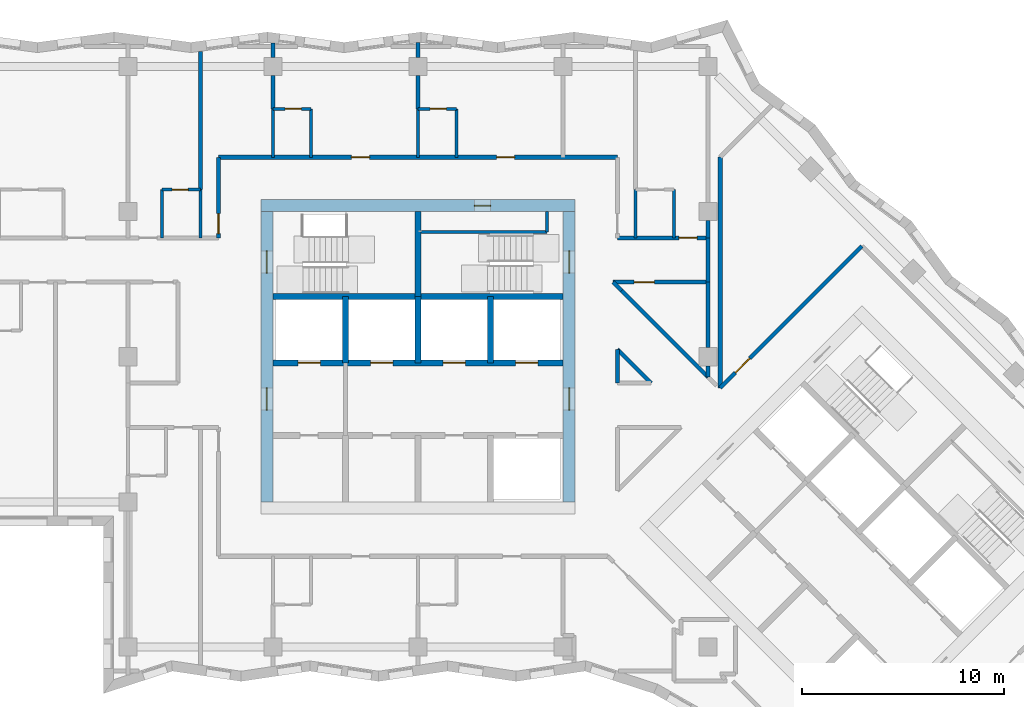
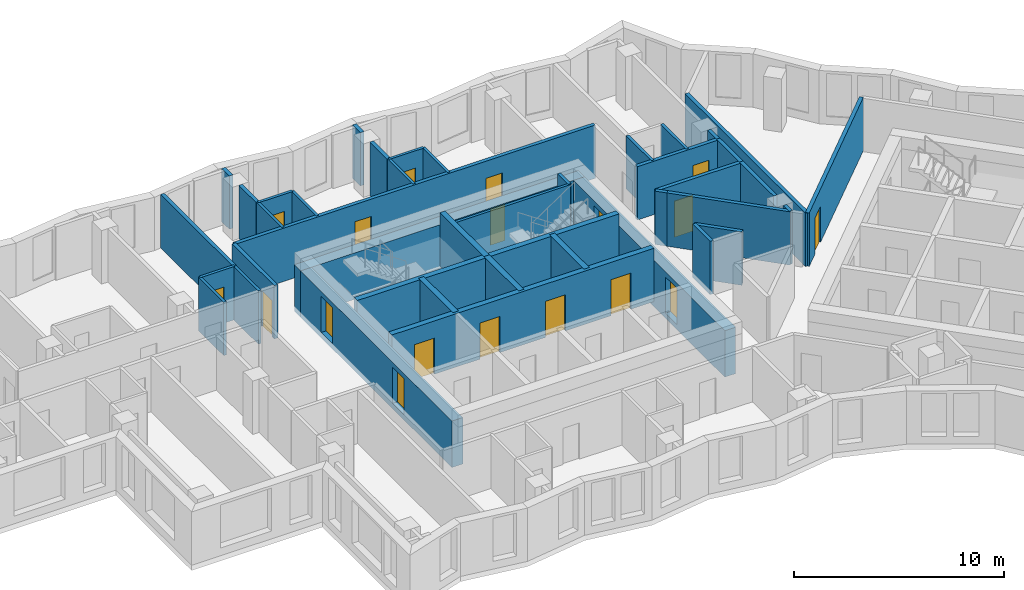
# One storey, part 6 of 12: 42 walls, 18 doors, 18 openings.
"""IFC4 building model written with IfcOpenShell, lengths in metres."""

from ifc_helpers import new_model, si_unit, direction, frame, frame_2d, origin, place, context, subcontext, project, spatial, rectangle, extrude, material, layer, layer_set, type_object, element, fill, save


model = new_model("IFC4")

# Units and contexts
model_context = context("Model", 3, precision=1e-05, world=origin(), true_north=direction((0.0, 1.0)))
body_context = subcontext(model_context, "Body", "Model", "MODEL_VIEW")
ifc_project = project(units=[si_unit("LENGTHUNIT", "METRE"), si_unit("AREAUNIT", "SQUARE_METRE"), si_unit("VOLUMEUNIT", "CUBIC_METRE"), si_unit("PLANEANGLEUNIT", "RADIAN"), si_unit("MASSUNIT", "GRAM", prefix="KILO")], contexts=[model_context])

# Site, building, storey
site_placement = place(None, origin())
site = spatial("IfcSite", under=ifc_project, at=site_placement, CompositionType="ELEMENT")
building_placement = place(site_placement, origin())
building = spatial("IfcBuilding", under=site, at=building_placement, Name="Windrow Commons", CompositionType="ELEMENT")
storey_placement = place(building_placement, frame((0.0, 0.0, 159.2)))
storey = spatial("IfcBuildingStorey", under=building, at=storey_placement, Name="L43", CompositionType="ELEMENT", Elevation=159.2)

# Wall, openings, doors
ifc_material_1 = material(Name="Blockwork partition", Category="masonry")
ifc_layer_1 = layer(ifc_material_1, 0.2)
ifc_layer_set_1 = layer_set([ifc_layer_1], Name="IW-CORRIDOR-200")
wall_type_1 = type_object("IfcWallType", Name="IW-CORRIDOR-200", PredefinedType="PARTITIONING", material=ifc_layer_set_1)
wall_1_placement = place(storey_placement, frame((54.9, 67.5, 0.0), z_axis=(0.0, 0.0, 1.0), x_axis=(1.0, 0.0, 0.0)))
wall_1 = element("IfcWall", 1, at=wall_1_placement, inside=storey, type_object=wall_type_1, Name="W-L43-W000", PredefinedType="PARTITIONING", context=body_context, shape_type="SweptSolid", body=[
    extrude(rectangle(XDim=19.8, YDim=0.2, at=frame_2d((9.9, 0.0))), origin(), (0.0, 0.0, 1.0), 3.1),
])
opening_1_placement = place(wall_1_placement, frame((6.5994, 0.0, 0.0)))
opening_1 = element("IfcOpeningElement", 2, at=opening_1_placement, cuts=wall_1, Name="Opening D109F", PredefinedType="OPENING", context=body_context, shape_type="SweptSolid", body=[
    extrude(rectangle(XDim=0.9, YDim=2.1, at=frame_2d((0.45, 1.05))), frame((0.0, 0.11, 0.0), z_axis=(0.0, -1.0, 0.0), x_axis=(1.0, 0.0, 0.0)), (0.0, 0.0, 1.0), 0.22),
])
opening_2_placement = place(wall_1_placement, frame((13.7994, 0.0, 0.0)))
opening_2 = element("IfcOpeningElement", 3, at=opening_2_placement, cuts=wall_1, Name="Opening D109F", PredefinedType="OPENING", context=body_context, shape_type="SweptSolid", body=[
    extrude(rectangle(XDim=0.9, YDim=2.1, at=frame_2d((0.45, 1.05))), frame((0.0, 0.11, 0.0), z_axis=(0.0, -1.0, 0.0), x_axis=(1.0, 0.0, 0.0)), (0.0, 0.0, 1.0), 0.22),
])
ifc_material_2 = material(Name="Timber door leaf", Category="wood")
door_type_1 = type_object("IfcDoorType", Name="DT-BEDROOM-900", OperationType="SINGLE_SWING_LEFT", PredefinedType="DOOR", material=ifc_material_2)
door_1_placement = place(opening_1_placement, origin())
door_1 = element("IfcDoor", 4, at=door_1_placement, inside=storey, type_object=door_type_1, Name="D-L43-D036", OperationType="SINGLE_SWING_RIGHT", OverallHeight=2.1, OverallWidth=0.9, PredefinedType="DOOR", context=body_context, shape_type="SweptSolid", body=[
    extrude(rectangle(XDim=0.9, YDim=2.1, at=frame_2d((0.45, 1.05))), frame((0.0, 0.025, 0.0), z_axis=(0.0, -1.0, 0.0), x_axis=(1.0, 0.0, 0.0)), (0.0, 0.0, 1.0), 0.05),
])
fill(opening_1, door_1)
door_2_placement = place(opening_2_placement, origin())
door_2 = element("IfcDoor", 5, at=door_2_placement, inside=storey, type_object=door_type_1, Name="D-L43-D038", OperationType="SINGLE_SWING_RIGHT", OverallHeight=2.1, OverallWidth=0.9, PredefinedType="DOOR", context=body_context, shape_type="SweptSolid", body=[
    extrude(rectangle(XDim=0.9, YDim=2.1, at=frame_2d((0.45, 1.05))), frame((0.0, 0.025, 0.0), z_axis=(0.0, -1.0, 0.0), x_axis=(1.0, 0.0, 0.0)), (0.0, 0.0, 1.0), 0.05),
])
fill(opening_2, door_2)

# Wall, opening, door
wall_2_placement = place(storey_placement, frame((79.7993, 56.0547, 0.0), z_axis=(0.0, 0.0, 1.0), x_axis=(0.7071067812, 0.7071067812, 0.0)))
wall_2 = element("IfcWall", 6, at=wall_2_placement, inside=storey, type_object=wall_type_1, Name="W-L43-W013", PredefinedType="PARTITIONING", context=body_context, shape_type="SweptSolid", body=[
    extrude(rectangle(XDim=9.9504, YDim=0.2, at=frame_2d((4.9752, 0.0))), origin(), (0.0, 0.0, 1.0), 3.1),
])
opening_3_placement = place(wall_2_placement, frame((1.0709, 0.0, 0.0)))
opening_3 = element("IfcOpeningElement", 7, at=opening_3_placement, cuts=wall_2, Name="Opening D310F", PredefinedType="OPENING", context=body_context, shape_type="SweptSolid", body=[
    extrude(rectangle(XDim=1.0, YDim=2.1, at=frame_2d((0.5, 1.05))), frame((0.0, 0.11, 0.0), z_axis=(0.0, -1.0, 0.0), x_axis=(1.0, 0.0, 0.0)), (0.0, 0.0, 1.0), 0.22),
])
ifc_material_3 = material(Name="Timber door leaf", Category="wood")
door_type_2 = type_object("IfcDoorType", Name="DT-AMENITY-1000", OperationType="SINGLE_SWING_LEFT", PredefinedType="DOOR", material=ifc_material_3)
door_3_placement = place(opening_3_placement, origin())
door_3 = element("IfcDoor", 8, at=door_3_placement, inside=storey, type_object=door_type_2, Name="D-L43-D040", OperationType="SINGLE_SWING_RIGHT", OverallHeight=2.1, OverallWidth=1.0, PredefinedType="DOOR", context=body_context, shape_type="SweptSolid", body=[
    extrude(rectangle(XDim=1.0, YDim=2.1, at=frame_2d((0.5, 1.05))), frame((0.0, 0.025, 0.0), z_axis=(0.0, -1.0, 0.0), x_axis=(1.0, 0.0, 0.0)), (0.0, 0.0, 1.0), 0.05),
])
fill(opening_3, door_3)

# Wall
wall_3_placement = place(storey_placement, frame((74.9034, 60.8894, 0.0), z_axis=(0.0, 0.0, 1.0), x_axis=(0.7071067812, -0.7071067812, 0.0)))
element("IfcWall", 9, at=wall_3_placement, inside=storey, type_object=wall_type_1, Name="W-L43-W026", PredefinedType="PARTITIONING", context=body_context, shape_type="SweptSolid", body=[
    extrude(rectangle(XDim=6.0811, YDim=0.2, at=frame_2d((3.0406, 0.0))), origin(), (0.0, 0.0, 1.0), 3.1),
])

# Wall, opening, door
wall_4_placement = place(storey_placement, frame((74.488, 61.3, 0.0), z_axis=(0.0, 0.0, 1.0), x_axis=(1.0, 0.0, 0.0)))
wall_4 = element("IfcWall", 10, at=wall_4_placement, inside=storey, type_object=wall_type_1, Name="W-L43-W032", PredefinedType="PARTITIONING", context=body_context, shape_type="SweptSolid", body=[
    extrude(rectangle(XDim=4.712, YDim=0.2, at=frame_2d((2.356, 0.0))), origin(), (0.0, 0.0, 1.0), 3.1),
])
opening_4_placement = place(wall_4_placement, frame((1.0374, 0.0, 0.0)))
opening_4 = element("IfcOpeningElement", 11, at=opening_4_placement, cuts=wall_4, Name="Opening D410F", PredefinedType="OPENING", context=body_context, shape_type="SweptSolid", body=[
    extrude(rectangle(XDim=1.0, YDim=2.1, at=frame_2d((0.5, 1.05))), frame((0.0, 0.11, 0.0), z_axis=(0.0, -1.0, 0.0), x_axis=(1.0, 0.0, 0.0)), (0.0, 0.0, 1.0), 0.22),
])
ifc_material_4 = material(Name="Timber door leaf", Category="wood")
door_type_3 = type_object("IfcDoorType", Name="DT-SERVICE-1000", OperationType="SINGLE_SWING_LEFT", PredefinedType="DOOR", material=ifc_material_4)
door_4_placement = place(opening_4_placement, origin())
door_4 = element("IfcDoor", 12, at=door_4_placement, inside=storey, type_object=door_type_3, Name="D-L43-D030", OperationType="SINGLE_SWING_RIGHT", OverallHeight=2.1, OverallWidth=1.0, PredefinedType="DOOR", context=body_context, shape_type="SweptSolid", body=[
    extrude(rectangle(XDim=1.0, YDim=2.1, at=frame_2d((0.5, 1.05))), frame((0.0, 0.025, 0.0), z_axis=(0.0, -1.0, 0.0), x_axis=(1.0, 0.0, 0.0)), (0.0, 0.0, 1.0), 0.05),
])
fill(opening_4, door_4)

wall_5_placement = place(storey_placement, frame((74.702, 63.5, 0.0), z_axis=(0.0, 0.0, 1.0), x_axis=(1.0, 0.0, 0.0)))
wall_5 = element("IfcWall", 13, at=wall_5_placement, inside=storey, type_object=wall_type_1, Name="W-L43-W038", PredefinedType="PARTITIONING", context=body_context, shape_type="SweptSolid", body=[
    extrude(rectangle(XDim=4.498, YDim=0.2, at=frame_2d((2.249, 0.0))), origin(), (0.0, 0.0, 1.0), 3.1),
])
opening_5_placement = place(wall_5_placement, frame((3.0463, 0.0, 0.0)))
opening_5 = element("IfcOpeningElement", 14, at=opening_5_placement, cuts=wall_5, Name="Opening D109S", PredefinedType="OPENING", context=body_context, shape_type="SweptSolid", body=[
    extrude(rectangle(XDim=0.9, YDim=2.1, at=frame_2d((0.45, 1.05))), frame((0.0, 0.11, 0.0), z_axis=(0.0, -1.0, 0.0), x_axis=(1.0, 0.0, 0.0)), (0.0, 0.0, 1.0), 0.22),
])
door_5_placement = place(opening_5_placement, origin())
door_5 = element("IfcDoor", 15, at=door_5_placement, inside=storey, type_object=door_type_1, Name="D-L43-D023", OperationType="SINGLE_SWING_LEFT", OverallHeight=2.1, OverallWidth=0.9, PredefinedType="DOOR", context=body_context, shape_type="SweptSolid", body=[
    extrude(rectangle(XDim=0.9, YDim=2.1, at=frame_2d((0.45, 1.05))), frame((0.0, 0.025, 0.0), z_axis=(0.0, -1.0, 0.0), x_axis=(1.0, 0.0, 0.0)), (0.0, 0.0, 1.0), 0.05),
])
fill(opening_5, door_5)

wall_6_placement = place(storey_placement, frame((54.9, 63.502, 0.0), z_axis=(0.0, 0.0, 1.0), x_axis=(0.0, 1.0, 0.0)))
wall_6 = element("IfcWall", 16, at=wall_6_placement, inside=storey, type_object=wall_type_1, Name="W-L43-W042", PredefinedType="PARTITIONING", context=body_context, shape_type="SweptSolid", body=[
    extrude(rectangle(XDim=3.998, YDim=0.2, at=frame_2d((1.999, 0.0))), origin(), (0.0, 0.0, 1.0), 3.1),
])
opening_6_placement = place(wall_6_placement, frame((0.2031, 0.0, 0.0)))
opening_6 = element("IfcOpeningElement", 17, at=opening_6_placement, cuts=wall_6, Name="Opening D310F", PredefinedType="OPENING", context=body_context, shape_type="SweptSolid", body=[
    extrude(rectangle(XDim=1.0, YDim=2.1, at=frame_2d((0.5, 1.05))), frame((0.0, 0.11, 0.0), z_axis=(0.0, -1.0, 0.0), x_axis=(1.0, 0.0, 0.0)), (0.0, 0.0, 1.0), 0.22),
])
door_6_placement = place(opening_6_placement, origin())
door_6 = element("IfcDoor", 18, at=door_6_placement, inside=storey, type_object=door_type_2, Name="D-L43-D021", OperationType="SINGLE_SWING_LEFT", OverallHeight=2.1, OverallWidth=1.0, PredefinedType="DOOR", context=body_context, shape_type="SweptSolid", body=[
    extrude(rectangle(XDim=1.0, YDim=2.1, at=frame_2d((0.5, 1.05))), frame((0.0, 0.025, 0.0), z_axis=(0.0, -1.0, 0.0), x_axis=(1.0, 0.0, 0.0)), (0.0, 0.0, 1.0), 0.05),
])
fill(opening_6, door_6)

# Walls
wall_7_placement = place(storey_placement, frame((74.6987, 57.9687, 0.0), z_axis=(0.0, 0.0, 1.0), x_axis=(0.7071067812, -0.7071067812, 0.0)))
element("IfcWall", 19, at=wall_7_placement, inside=storey, type_object=wall_type_1, Name="W-L43-W105", PredefinedType="PARTITIONING", context=body_context, shape_type="SweptSolid", body=[
    extrude(rectangle(XDim=2.3617, YDim=0.2, at=frame_2d((1.1808, 0.0))), origin(), (0.0, 0.0, 1.0), 3.1),
])
wall_8_placement = place(storey_placement, frame((79.2, 61.3, 0.0), z_axis=(0.0, 0.0, 1.0), x_axis=(0.0, 1.0, 0.0)))
element("IfcWall", 20, at=wall_8_placement, inside=storey, type_object=wall_type_1, Name="W-L43-W108", PredefinedType="PARTITIONING", context=body_context, shape_type="SweptSolid", body=[
    extrude(rectangle(XDim=2.2, YDim=0.2, at=frame_2d((1.1, 0.0))), origin(), (0.0, 0.0, 1.0), 3.1),
])
wall_9_placement = place(storey_placement, frame((74.7, 56.302, 0.0), z_axis=(0.0, 0.0, 1.0), x_axis=(0.0, 1.0, 0.0)))
element("IfcWall", 21, at=wall_9_placement, inside=storey, type_object=wall_type_1, Name="W-L43-W132", PredefinedType="PARTITIONING", context=body_context, shape_type="SweptSolid", body=[
    extrude(rectangle(XDim=1.67, YDim=0.2, at=frame_2d((0.835, 0.0))), origin(), (0.0, 0.0, 1.0), 3.1),
])
wall_10_placement = place(storey_placement, frame((74.4888, 61.3008, 0.0), z_axis=(0.0, 0.0, 1.0), x_axis=(0.7053925905, -0.7088168263, 0.0)))
element("IfcWall", 22, at=wall_10_placement, inside=storey, type_object=wall_type_1, Name="W-L43-W167", PredefinedType="PARTITIONING", context=body_context, shape_type="SweptSolid", body=[
    extrude(rectangle(XDim=0.5841, YDim=0.2, at=frame_2d((0.292, 0.0))), origin(), (0.0, 0.0, 1.0), 3.1),
])
ifc_material_5 = material(Name="Blockwork partition", Category="masonry")
ifc_layer_2 = layer(ifc_material_5, 0.15)
ifc_layer_set_2 = layer_set([ifc_layer_2], Name="IW-ENSUITE-150")
wall_type_2 = type_object("IfcWallType", Name="IW-ENSUITE-150", PredefinedType="PARTITIONING", material=ifc_layer_set_2)
for number, where, z_axis, x_axis, name in (
    (23, (52.1, 63.5, 0.0), (0.0, 0.0, 1.0), (0.0, 1.0, 0.0), "W-L43-W081"),
    (24, (54.0, 63.5, 0.0), (0.0, 0.0, 1.0), (0.0, 1.0, 0.0), "W-L43-W082"),
    (25, (59.5, 67.5, 0.0), (0.0, 0.0, 1.0), (0.0, 1.0, 0.0), "W-L43-W084"),
    (26, (57.6, 67.5, 0.0), (0.0, 0.0, 1.0), (0.0, 1.0, 0.0), "W-L43-W086"),
    (27, (66.7, 67.5, 0.0), (0.0, 0.0, 1.0), (0.0, 1.0, 0.0), "W-L43-W088"),
    (28, (64.8, 67.5, 0.0), (0.0, 0.0, 1.0), (0.0, 1.0, 0.0), "W-L43-W090"),
    (29, (75.6, 63.5, 0.0), (0.0, 0.0, 1.0), (0.0, 1.0, 0.0), "W-L43-W091"),
    (30, (77.5, 63.5, 0.0), (0.0, 0.0, 1.0), (0.0, 1.0, 0.0), "W-L43-W092"),
):
    element("IfcWall", number, at=place(storey_placement, frame(where, z_axis=z_axis, x_axis=x_axis)), inside=storey, type_object=wall_type_2, Name=name, PredefinedType="PARTITIONING", context=body_context, shape_type="SweptSolid", body=[
        extrude(rectangle(XDim=2.4, YDim=0.15, at=frame_2d((1.2, 0.0))), origin(), (0.0, 0.0, 1.0), 3.1),
    ])

# Wall, opening, door
wall_11_placement = place(storey_placement, frame((64.8, 69.9, 0.0), z_axis=(0.0, 0.0, 1.0), x_axis=(1.0, 0.0, 0.0)))
wall_11 = element("IfcWall", 31, at=wall_11_placement, inside=storey, type_object=wall_type_2, Name="W-L43-W116", PredefinedType="PARTITIONING", context=body_context, shape_type="SweptSolid", body=[
    extrude(rectangle(XDim=1.9, YDim=0.15, at=frame_2d((0.95, 0.0))), origin(), (0.0, 0.0, 1.0), 3.1),
])
opening_7_placement = place(wall_11_placement, frame((0.6069, 0.0, 0.0)))
opening_7 = element("IfcOpeningElement", 32, at=opening_7_placement, cuts=wall_11, Name="Opening D208N", PredefinedType="OPENING", context=body_context, shape_type="SweptSolid", body=[
    extrude(rectangle(XDim=0.8, YDim=2.1, at=frame_2d((0.4, 1.05))), frame((0.0, 0.085, 0.0), z_axis=(0.0, -1.0, 0.0), x_axis=(1.0, 0.0, 0.0)), (0.0, 0.0, 1.0), 0.17),
])
ifc_material_6 = material(Name="Timber door leaf", Category="wood")
door_type_4 = type_object("IfcDoorType", Name="DT-ENSUITE-800", OperationType="SINGLE_SWING_LEFT", PredefinedType="DOOR", material=ifc_material_6)
door_7_placement = place(opening_7_placement, origin())
door_7 = element("IfcDoor", 33, at=door_7_placement, inside=storey, type_object=door_type_4, Name="D-L43-D039", OperationType="SINGLE_SWING_RIGHT", OverallHeight=2.1, OverallWidth=0.8, PredefinedType="DOOR", context=body_context, shape_type="SweptSolid", body=[
    extrude(rectangle(XDim=0.8, YDim=2.1, at=frame_2d((0.4, 1.05))), frame((0.0, 0.025, 0.0), z_axis=(0.0, -1.0, 0.0), x_axis=(1.0, 0.0, 0.0)), (0.0, 0.0, 1.0), 0.05),
])
fill(opening_7, door_7)

wall_12_placement = place(storey_placement, frame((52.1, 65.9, 0.0), z_axis=(0.0, 0.0, 1.0), x_axis=(1.0, 0.0, 0.0)))
wall_12 = element("IfcWall", 34, at=wall_12_placement, inside=storey, type_object=wall_type_2, Name="W-L43-W122", PredefinedType="PARTITIONING", context=body_context, shape_type="SweptSolid", body=[
    extrude(rectangle(XDim=1.9, YDim=0.15, at=frame_2d((0.95, 0.0))), origin(), (0.0, 0.0, 1.0), 3.1),
])
opening_8_placement = place(wall_12_placement, frame((0.4931, 0.0, 0.0)))
opening_8 = element("IfcOpeningElement", 35, at=opening_8_placement, cuts=wall_12, Name="Opening D208N", PredefinedType="OPENING", context=body_context, shape_type="SweptSolid", body=[
    extrude(rectangle(XDim=0.8, YDim=2.1, at=frame_2d((0.4, 1.05))), frame((0.0, 0.085, 0.0), z_axis=(0.0, -1.0, 0.0), x_axis=(1.0, 0.0, 0.0)), (0.0, 0.0, 1.0), 0.17),
])
door_8_placement = place(opening_8_placement, origin())
door_8 = element("IfcDoor", 36, at=door_8_placement, inside=storey, type_object=door_type_4, Name="D-L43-D020", OperationType="SINGLE_SWING_RIGHT", OverallHeight=2.1, OverallWidth=0.8, PredefinedType="DOOR", context=body_context, shape_type="SweptSolid", body=[
    extrude(rectangle(XDim=0.8, YDim=2.1, at=frame_2d((0.4, 1.05))), frame((0.0, 0.025, 0.0), z_axis=(0.0, -1.0, 0.0), x_axis=(1.0, 0.0, 0.0)), (0.0, 0.0, 1.0), 0.05),
])
fill(opening_8, door_8)

wall_13_placement = place(storey_placement, frame((57.6, 69.9, 0.0), z_axis=(0.0, 0.0, 1.0), x_axis=(1.0, 0.0, 0.0)))
wall_13 = element("IfcWall", 37, at=wall_13_placement, inside=storey, type_object=wall_type_2, Name="W-L43-W125", PredefinedType="PARTITIONING", context=body_context, shape_type="SweptSolid", body=[
    extrude(rectangle(XDim=1.9, YDim=0.15, at=frame_2d((0.95, 0.0))), origin(), (0.0, 0.0, 1.0), 3.1),
])
opening_9_placement = place(wall_13_placement, frame((0.6069, 0.0, 0.0)))
opening_9 = element("IfcOpeningElement", 38, at=opening_9_placement, cuts=wall_13, Name="Opening D208N", PredefinedType="OPENING", context=body_context, shape_type="SweptSolid", body=[
    extrude(rectangle(XDim=0.8, YDim=2.1, at=frame_2d((0.4, 1.05))), frame((0.0, 0.085, 0.0), z_axis=(0.0, -1.0, 0.0), x_axis=(1.0, 0.0, 0.0)), (0.0, 0.0, 1.0), 0.17),
])
door_9_placement = place(opening_9_placement, origin())
door_9 = element("IfcDoor", 39, at=door_9_placement, inside=storey, type_object=door_type_4, Name="D-L43-D037", OperationType="SINGLE_SWING_RIGHT", OverallHeight=2.1, OverallWidth=0.8, PredefinedType="DOOR", context=body_context, shape_type="SweptSolid", body=[
    extrude(rectangle(XDim=0.8, YDim=2.1, at=frame_2d((0.4, 1.05))), frame((0.0, 0.025, 0.0), z_axis=(0.0, -1.0, 0.0), x_axis=(1.0, 0.0, 0.0)), (0.0, 0.0, 1.0), 0.05),
])
fill(opening_9, door_9)

# Walls
ifc_material_7 = material(Name="Blockwork partition", Category="masonry")
ifc_layer_3 = layer(ifc_material_7, 0.2)
ifc_layer_set_3 = layer_set([ifc_layer_3], Name="IW-PARTY-200")
wall_type_3 = type_object("IfcWallType", Name="IW-PARTY-200", PredefinedType="PARTITIONING", material=ifc_layer_set_3)
wall_14_placement = place(storey_placement, frame((79.8, 56.054, 0.0), z_axis=(0.0, 0.0, 1.0), x_axis=(0.0, 1.0, 0.0)))
element("IfcWall", 40, at=wall_14_placement, inside=storey, type_object=wall_type_3, Name="W-L43-W011", PredefinedType="PARTITIONING", context=body_context, shape_type="SweptSolid", body=[
    extrude(rectangle(XDim=11.454, YDim=0.2, at=frame_2d((5.727, 0.0))), origin(), (0.0, 0.0, 1.0), 3.1),
])
wall_15_placement = place(storey_placement, frame((54.0, 65.9, 0.0), z_axis=(0.0, 0.0, 1.0), x_axis=(0.0, 1.0, 0.0)))
element("IfcWall", 41, at=wall_15_placement, inside=storey, type_object=wall_type_3, Name="W-L43-W018", PredefinedType="PARTITIONING", context=body_context, shape_type="SweptSolid", body=[
    extrude(rectangle(XDim=6.8591, YDim=0.2, at=frame_2d((3.4295, 0.0))), origin(), (0.0, 0.0, 1.0), 3.1),
])
wall_16_placement = place(storey_placement, frame((79.2, 58.05, 0.0), z_axis=(0.0, 0.0, 1.0), x_axis=(0.0, 1.0, 0.0)))
element("IfcWall", 42, at=wall_16_placement, inside=storey, type_object=wall_type_3, Name="W-L43-W049", PredefinedType="PARTITIONING", context=body_context, shape_type="SweptSolid", body=[
    extrude(rectangle(XDim=3.25, YDim=0.2, at=frame_2d((1.625, 0.0))), origin(), (0.0, 0.0, 1.0), 3.1),
])
for number, where, z_axis, x_axis, name in (
    (43, (57.6, 69.9, 0.0), (0.0, 0.0, 1.0), (0.0, 1.0, 0.0), "W-L43-W135"),
    (44, (64.8, 69.9, 0.0), (0.0, 0.0, 1.0), (0.0, 1.0, 0.0), "W-L43-W136"),
):
    element("IfcWall", number, at=place(storey_placement, frame(where, z_axis=z_axis, x_axis=x_axis)), inside=storey, type_object=wall_type_3, Name=name, PredefinedType="PARTITIONING", context=body_context, shape_type="SweptSolid", body=[
        extrude(rectangle(XDim=1.65, YDim=0.2, at=frame_2d((0.825, 0.0))), origin(), (0.0, 0.0, 1.0), 3.1),
    ])
wall_17_placement = place(storey_placement, frame((79.2, 63.5, 0.0), z_axis=(0.0, 0.0, 1.0), x_axis=(0.0, 1.0, 0.0)))
element("IfcWall", 45, at=wall_17_placement, inside=storey, type_object=wall_type_3, Name="W-L43-W153", PredefinedType="PARTITIONING", context=body_context, shape_type="SweptSolid", body=[
    extrude(rectangle(XDim=0.85, YDim=0.2, at=frame_2d((0.425, 0.0))), origin(), (0.0, 0.0, 1.0), 3.1),
])
wall_18_placement = place(storey_placement, frame((79.2, 56.586, 0.0), z_axis=(0.0, 0.0, 1.0), x_axis=(0.0, 1.0, 0.0)))
element("IfcWall", 46, at=wall_18_placement, inside=storey, type_object=wall_type_3, Name="W-L43-W168", PredefinedType="PARTITIONING", context=body_context, shape_type="SweptSolid", body=[
    extrude(rectangle(XDim=0.564, YDim=0.2, at=frame_2d((0.282, 0.0))), origin(), (0.0, 0.0, 1.0), 3.1),
])
wall_19_placement = place(storey_placement, frame((57.6, 72.45, 0.0), z_axis=(0.0, 0.0, 1.0), x_axis=(0.0, 1.0, 0.0)))
element("IfcWall", 47, at=wall_19_placement, inside=storey, type_object=wall_type_3, Name="W-L43-W170", PredefinedType="PARTITIONING", context=body_context, shape_type="SweptSolid", body=[
    extrude(rectangle(XDim=0.7214, YDim=0.2, at=frame_2d((0.3607, 0.0))), origin(), (0.0, 0.0, 1.0), 3.1),
])
wall_20_placement = place(storey_placement, frame((64.8, 72.45, 0.0), z_axis=(0.0, 0.0, 1.0), x_axis=(0.0, 1.0, 0.0)))
element("IfcWall", 48, at=wall_20_placement, inside=storey, type_object=wall_type_3, Name="W-L43-W171", PredefinedType="PARTITIONING", context=body_context, shape_type="SweptSolid", body=[
    extrude(rectangle(XDim=0.7386, YDim=0.2, at=frame_2d((0.3693, 0.0))), origin(), (0.0, 0.0, 1.0), 3.1),
])

# Wall, opening, door
ifc_material_8 = material(Name="Concrete C50/60", Category="concrete")
ifc_layer_4 = layer(ifc_material_8, 0.6)
ifc_layer_set_4 = layer_set([ifc_layer_4], Name="RC CORE WALL 600 C50/60")
wall_type_4 = type_object("IfcWallType", Name="RC CORE WALL 600 C50/60", PredefinedType="SHEAR", material=ifc_layer_set_4)
wall_21_placement = place(storey_placement, frame((57.0, 65.1, -0.3), z_axis=(0.0, 0.0, 1.0), x_axis=(1.0, 0.0, 0.0)))
wall_21 = element("IfcWall", 49, at=wall_21_placement, inside=storey, type_object=wall_type_4, Name="Core A wall outer-N", PredefinedType="SHEAR", context=body_context, shape_type="SweptSolid", body=[
    extrude(rectangle(XDim=15.6, YDim=0.6, at=frame_2d((7.8, 0.0))), origin(), (0.0, 0.0, 1.0), 2.7),
])
opening_10_placement = place(wall_21_placement, frame((10.6, 0.0, 0.3)))
opening_10 = element("IfcOpeningElement", 50, at=opening_10_placement, cuts=wall_21, Name="Opening D9", PredefinedType="OPENING", context=body_context, shape_type="SweptSolid", body=[
    extrude(rectangle(XDim=0.8, YDim=2.1, at=frame_2d((0.4, 1.05))), frame((0.0, 0.31, 0.0), z_axis=(0.0, -1.0, 0.0), x_axis=(1.0, 0.0, 0.0)), (0.0, 0.0, 1.0), 0.62),
])
ifc_material_9 = material(Name="Steel fire door leaf", Category="steel")
door_type_5 = type_object("IfcDoorType", Name="Riser access door 800", OperationType="SINGLE_SWING_LEFT", PredefinedType="DOOR", material=ifc_material_9)
door_10_placement = place(opening_10_placement, origin())
door_10 = element("IfcDoor", 51, at=door_10_placement, inside=storey, type_object=door_type_5, Name="Riser access door", OperationType="SINGLE_SWING_RIGHT", OverallHeight=2.1, OverallWidth=0.8, PredefinedType="DOOR", context=body_context, shape_type="SweptSolid", body=[
    extrude(rectangle(XDim=0.8, YDim=2.1, at=frame_2d((0.4, 1.05))), frame((0.0, 0.025, 0.0), z_axis=(0.0, -1.0, 0.0), x_axis=(1.0, 0.0, 0.0)), (0.0, 0.0, 1.0), 0.05),
])
fill(opening_10, door_10)

# Wall, openings, doors
wall_22_placement = place(storey_placement, frame((57.3, 50.4, -0.3), z_axis=(0.0, 0.0, 1.0), x_axis=(0.0, 1.0, 0.0)))
wall_22 = element("IfcWall", 52, at=wall_22_placement, inside=storey, type_object=wall_type_4, Name="Core A wall outer-W", PredefinedType="SHEAR", context=body_context, shape_type="SweptSolid", body=[
    extrude(rectangle(XDim=14.4, YDim=0.6, at=frame_2d((7.2, 0.0))), origin(), (0.0, 0.0, 1.0), 2.7),
])
opening_11_placement = place(wall_22_placement, frame((4.55, 0.0, 0.3)))
opening_11 = element("IfcOpeningElement", 53, at=opening_11_placement, cuts=wall_22, Name="Opening D6", PredefinedType="OPENING", context=body_context, shape_type="SweptSolid", body=[
    extrude(rectangle(XDim=1.1, YDim=2.1, at=frame_2d((0.55, 1.05))), frame((0.0, 0.31, 0.0), z_axis=(0.0, -1.0, 0.0), x_axis=(1.0, 0.0, 0.0)), (0.0, 0.0, 1.0), 0.62),
])
opening_12_placement = place(wall_22_placement, frame((11.35, 0.0, 0.3)))
opening_12 = element("IfcOpeningElement", 54, at=opening_12_placement, cuts=wall_22, Name="Opening D7", PredefinedType="OPENING", context=body_context, shape_type="SweptSolid", body=[
    extrude(rectangle(XDim=1.1, YDim=2.1, at=frame_2d((0.55, 1.05))), frame((0.0, 0.31, 0.0), z_axis=(0.0, -1.0, 0.0), x_axis=(1.0, 0.0, 0.0)), (0.0, 0.0, 1.0), 0.62),
])
ifc_material_10 = material(Name="Steel fire door leaf", Category="steel")
door_type_6 = type_object("IfcDoorType", Name="Core lobby door 1100", OperationType="SINGLE_SWING_LEFT", PredefinedType="DOOR", material=ifc_material_10)
door_11_placement = place(opening_11_placement, origin())
door_11 = element("IfcDoor", 55, at=door_11_placement, inside=storey, type_object=door_type_6, Name="Lift lobby door", OperationType="DOUBLE_DOOR_SINGLE_SWING", OverallHeight=2.1, OverallWidth=1.1, PredefinedType="DOOR", context=body_context, shape_type="SweptSolid", body=[
    extrude(rectangle(XDim=1.1, YDim=2.1, at=frame_2d((0.55, 1.05))), frame((0.0, 0.025, 0.0), z_axis=(0.0, -1.0, 0.0), x_axis=(1.0, 0.0, 0.0)), (0.0, 0.0, 1.0), 0.05),
])
fill(opening_11, door_11)
ifc_material_11 = material(Name="Steel fire door leaf", Category="steel")
door_type_7 = type_object("IfcDoorType", Name="Stair door 1100", OperationType="SINGLE_SWING_LEFT", PredefinedType="DOOR", material=ifc_material_11)
door_12_placement = place(opening_12_placement, origin())
door_12 = element("IfcDoor", 56, at=door_12_placement, inside=storey, type_object=door_type_7, Name="Stair door", OperationType="SINGLE_SWING_LEFT", OverallHeight=2.1, OverallWidth=1.1, PredefinedType="DOOR", context=body_context, shape_type="SweptSolid", body=[
    extrude(rectangle(XDim=1.1, YDim=2.1, at=frame_2d((0.55, 1.05))), frame((0.0, 0.025, 0.0), z_axis=(0.0, -1.0, 0.0), x_axis=(1.0, 0.0, 0.0)), (0.0, 0.0, 1.0), 0.05),
])
fill(opening_12, door_12)

wall_23_placement = place(storey_placement, frame((72.3, 50.4, -0.3), z_axis=(0.0, 0.0, 1.0), x_axis=(0.0, 1.0, 0.0)))
wall_23 = element("IfcWall", 57, at=wall_23_placement, inside=storey, type_object=wall_type_4, Name="Core A wall outer-E", PredefinedType="SHEAR", context=body_context, shape_type="SweptSolid", body=[
    extrude(rectangle(XDim=14.4, YDim=0.6, at=frame_2d((7.2, 0.0))), origin(), (0.0, 0.0, 1.0), 2.7),
])
opening_13_placement = place(wall_23_placement, frame((4.55, 0.0, 0.3)))
opening_13 = element("IfcOpeningElement", 58, at=opening_13_placement, cuts=wall_23, Name="Opening D6", PredefinedType="OPENING", context=body_context, shape_type="SweptSolid", body=[
    extrude(rectangle(XDim=1.1, YDim=2.1, at=frame_2d((0.55, 1.05))), frame((0.0, 0.31, 0.0), z_axis=(0.0, -1.0, 0.0), x_axis=(1.0, 0.0, 0.0)), (0.0, 0.0, 1.0), 0.62),
])
opening_14_placement = place(wall_23_placement, frame((11.35, 0.0, 0.3)))
opening_14 = element("IfcOpeningElement", 59, at=opening_14_placement, cuts=wall_23, Name="Opening D7", PredefinedType="OPENING", context=body_context, shape_type="SweptSolid", body=[
    extrude(rectangle(XDim=1.1, YDim=2.1, at=frame_2d((0.55, 1.05))), frame((0.0, 0.31, 0.0), z_axis=(0.0, -1.0, 0.0), x_axis=(1.0, 0.0, 0.0)), (0.0, 0.0, 1.0), 0.62),
])
door_13_placement = place(opening_13_placement, origin())
door_13 = element("IfcDoor", 60, at=door_13_placement, inside=storey, type_object=door_type_6, Name="Lift lobby door", OperationType="DOUBLE_DOOR_SINGLE_SWING", OverallHeight=2.1, OverallWidth=1.1, PredefinedType="DOOR", context=body_context, shape_type="SweptSolid", body=[
    extrude(rectangle(XDim=1.1, YDim=2.1, at=frame_2d((0.55, 1.05))), frame((0.0, 0.025, 0.0), z_axis=(0.0, -1.0, 0.0), x_axis=(1.0, 0.0, 0.0)), (0.0, 0.0, 1.0), 0.05),
])
fill(opening_13, door_13)
door_14_placement = place(opening_14_placement, origin())
door_14 = element("IfcDoor", 61, at=door_14_placement, inside=storey, type_object=door_type_7, Name="Stair door", OperationType="SINGLE_SWING_RIGHT", OverallHeight=2.1, OverallWidth=1.1, PredefinedType="DOOR", context=body_context, shape_type="SweptSolid", body=[
    extrude(rectangle(XDim=1.1, YDim=2.1, at=frame_2d((0.55, 1.05))), frame((0.0, 0.025, 0.0), z_axis=(0.0, -1.0, 0.0), x_axis=(1.0, 0.0, 0.0)), (0.0, 0.0, 1.0), 0.05),
])
fill(opening_14, door_14)

# Walls
ifc_material_12 = material(Name="Concrete C50/60", Category="concrete")
ifc_layer_5 = layer(ifc_material_12, 0.3)
ifc_layer_set_5 = layer_set([ifc_layer_5], Name="RC SHAFT WALL 300 C50/60")
wall_type_5 = type_object("IfcWallType", Name="RC SHAFT WALL 300 C50/60", PredefinedType="SOLIDWALL", material=ifc_layer_set_5)
for number, where, z_axis, x_axis, name in (
    (62, (61.2, 57.3, 0.0), (0.0, 0.0, 1.0), (0.0, 1.0, 0.0), "Core A wall shaft-N1"),
    (63, (64.8, 57.3, 0.0), (0.0, 0.0, 1.0), (0.0, 1.0, 0.0), "Core A wall shaft-N2"),
    (64, (68.4, 57.3, 0.0), (0.0, 0.0, 1.0), (0.0, 1.0, 0.0), "Core A wall shaft-N3"),
):
    element("IfcWall", number, at=place(storey_placement, frame(where, z_axis=z_axis, x_axis=x_axis)), inside=storey, type_object=wall_type_5, Name=name, PredefinedType="SOLIDWALL", context=body_context, shape_type="SweptSolid", body=[
        extrude(rectangle(XDim=3.3, YDim=0.3, at=frame_2d((1.65, 0.0))), origin(), (0.0, 0.0, 1.0), 3.1),
    ])

# Wall, openings, doors
wall_24_placement = place(storey_placement, frame((57.6, 57.3, 0.0), z_axis=(0.0, 0.0, 1.0), x_axis=(1.0, 0.0, 0.0)))
wall_24 = element("IfcWall", 65, at=wall_24_placement, inside=storey, type_object=wall_type_5, Name="Core A wall lobby-N", PredefinedType="SOLIDWALL", context=body_context, shape_type="SweptSolid", body=[
    extrude(rectangle(XDim=14.4, YDim=0.3, at=frame_2d((7.2, 0.0))), origin(), (0.0, 0.0, 1.0), 3.1),
])
opening_15_placement = place(wall_24_placement, frame((1.25, 0.0, 0.0)))
opening_15 = element("IfcOpeningElement", 66, at=opening_15_placement, cuts=wall_24, Name="Opening LD", PredefinedType="OPENING", context=body_context, shape_type="SweptSolid", body=[
    extrude(rectangle(XDim=1.1, YDim=2.1, at=frame_2d((0.55, 1.05))), frame((0.0, 0.16, 0.0), z_axis=(0.0, -1.0, 0.0), x_axis=(1.0, 0.0, 0.0)), (0.0, 0.0, 1.0), 0.32),
])
opening_16_placement = place(wall_24_placement, frame((4.85, 0.0, 0.0)))
opening_16 = element("IfcOpeningElement", 67, at=opening_16_placement, cuts=wall_24, Name="Opening LD", PredefinedType="OPENING", context=body_context, shape_type="SweptSolid", body=[
    extrude(rectangle(XDim=1.1, YDim=2.1, at=frame_2d((0.55, 1.05))), frame((0.0, 0.16, 0.0), z_axis=(0.0, -1.0, 0.0), x_axis=(1.0, 0.0, 0.0)), (0.0, 0.0, 1.0), 0.32),
])
opening_17_placement = place(wall_24_placement, frame((8.45, 0.0, 0.0)))
opening_17 = element("IfcOpeningElement", 68, at=opening_17_placement, cuts=wall_24, Name="Opening LD", PredefinedType="OPENING", context=body_context, shape_type="SweptSolid", body=[
    extrude(rectangle(XDim=1.1, YDim=2.1, at=frame_2d((0.55, 1.05))), frame((0.0, 0.16, 0.0), z_axis=(0.0, -1.0, 0.0), x_axis=(1.0, 0.0, 0.0)), (0.0, 0.0, 1.0), 0.32),
])
opening_18_placement = place(wall_24_placement, frame((12.05, 0.0, 0.0)))
opening_18 = element("IfcOpeningElement", 69, at=opening_18_placement, cuts=wall_24, Name="Opening LD", PredefinedType="OPENING", context=body_context, shape_type="SweptSolid", body=[
    extrude(rectangle(XDim=1.1, YDim=2.1, at=frame_2d((0.55, 1.05))), frame((0.0, 0.16, 0.0), z_axis=(0.0, -1.0, 0.0), x_axis=(1.0, 0.0, 0.0)), (0.0, 0.0, 1.0), 0.32),
])
ifc_material_13 = material(Name="Stainless steel door leaf", Category="steel")
door_type_8 = type_object("IfcDoorType", Name="Lift landing door 1100", OperationType="SLIDING_TO_LEFT", PredefinedType="DOOR", material=ifc_material_13)
door_15_placement = place(opening_15_placement, origin())
door_15 = element("IfcDoor", 70, at=door_15_placement, inside=storey, type_object=door_type_8, Name="Lift landing door", OperationType="SLIDING_TO_LEFT", OverallHeight=2.1, OverallWidth=1.1, PredefinedType="DOOR", context=body_context, shape_type="SweptSolid", body=[
    extrude(rectangle(XDim=1.1, YDim=2.1, at=frame_2d((0.55, 1.05))), frame((0.0, 0.025, 0.0), z_axis=(0.0, -1.0, 0.0), x_axis=(1.0, 0.0, 0.0)), (0.0, 0.0, 1.0), 0.05),
])
fill(opening_15, door_15)
door_16_placement = place(opening_16_placement, origin())
door_16 = element("IfcDoor", 71, at=door_16_placement, inside=storey, type_object=door_type_8, Name="Lift landing door", OperationType="SLIDING_TO_RIGHT", OverallHeight=2.1, OverallWidth=1.1, PredefinedType="DOOR", context=body_context, shape_type="SweptSolid", body=[
    extrude(rectangle(XDim=1.1, YDim=2.1, at=frame_2d((0.55, 1.05))), frame((0.0, 0.025, 0.0), z_axis=(0.0, -1.0, 0.0), x_axis=(1.0, 0.0, 0.0)), (0.0, 0.0, 1.0), 0.05),
])
fill(opening_16, door_16)
door_17_placement = place(opening_17_placement, origin())
door_17 = element("IfcDoor", 72, at=door_17_placement, inside=storey, type_object=door_type_8, Name="Lift landing door", OperationType="SLIDING_TO_LEFT", OverallHeight=2.1, OverallWidth=1.1, PredefinedType="DOOR", context=body_context, shape_type="SweptSolid", body=[
    extrude(rectangle(XDim=1.1, YDim=2.1, at=frame_2d((0.55, 1.05))), frame((0.0, 0.025, 0.0), z_axis=(0.0, -1.0, 0.0), x_axis=(1.0, 0.0, 0.0)), (0.0, 0.0, 1.0), 0.05),
])
fill(opening_17, door_17)
door_18_placement = place(opening_18_placement, origin())
door_18 = element("IfcDoor", 73, at=door_18_placement, inside=storey, type_object=door_type_8, Name="Lift landing door", OperationType="SLIDING_TO_RIGHT", OverallHeight=2.1, OverallWidth=1.1, PredefinedType="DOOR", context=body_context, shape_type="SweptSolid", body=[
    extrude(rectangle(XDim=1.1, YDim=2.1, at=frame_2d((0.55, 1.05))), frame((0.0, 0.025, 0.0), z_axis=(0.0, -1.0, 0.0), x_axis=(1.0, 0.0, 0.0)), (0.0, 0.0, 1.0), 0.05),
])
fill(opening_18, door_18)

# Walls
for number, where, z_axis, x_axis, name in (
    (74, (57.6, 60.6, 0.0), (0.0, 0.0, 1.0), (1.0, 0.0, 0.0), "Core A wall stair-S"),
    (75, (64.8, 60.6, 0.0), (0.0, 0.0, 1.0), (1.0, 0.0, 0.0), "Core A wall stair-S2"),
):
    element("IfcWall", number, at=place(storey_placement, frame(where, z_axis=z_axis, x_axis=x_axis)), inside=storey, type_object=wall_type_5, Name=name, PredefinedType="SOLIDWALL", context=body_context, shape_type="SweptSolid", body=[
        extrude(rectangle(XDim=7.2, YDim=0.3, at=frame_2d((3.6, 0.0))), origin(), (0.0, 0.0, 1.0), 3.1),
    ])
wall_25_placement = place(storey_placement, frame((64.8, 60.6, 0.0), z_axis=(0.0, 0.0, 1.0), x_axis=(0.0, 1.0, 0.0)))
element("IfcWall", 76, at=wall_25_placement, inside=storey, type_object=wall_type_5, Name="Core A wall stair-mid", PredefinedType="SOLIDWALL", context=body_context, shape_type="SweptSolid", body=[
    extrude(rectangle(XDim=4.2, YDim=0.3, at=frame_2d((2.1, 0.0))), origin(), (0.0, 0.0, 1.0), 3.1),
])
ifc_material_14 = material(Name="Blockwork partition", Category="masonry")
ifc_layer_6 = layer(ifc_material_14, 0.15)
ifc_layer_set_6 = layer_set([ifc_layer_6], Name="Riser partition 150")
wall_type_6 = type_object("IfcWallType", Name="Riser partition 150", PredefinedType="PARTITIONING", material=ifc_layer_set_6)
wall_26_placement = place(storey_placement, frame((64.95, 63.78, 0.0), z_axis=(0.0, 0.0, 1.0), x_axis=(1.0, 0.0, 0.0)))
element("IfcWall", 77, at=wall_26_placement, inside=storey, type_object=wall_type_6, Name="W-core-strip-A-L43", PredefinedType="PARTITIONING", context=body_context, shape_type="SweptSolid", body=[
    extrude(rectangle(XDim=6.25, YDim=0.15, at=frame_2d((3.125, 0.0))), origin(), (0.0, 0.0, 1.0), 3.1),
])
wall_27_placement = place(storey_placement, frame((71.2, 63.78, 0.0), z_axis=(0.0, 0.0, 1.0), x_axis=(0.0, 1.0, 0.0)))
element("IfcWall", 78, at=wall_27_placement, inside=storey, type_object=wall_type_6, Name="W-core-stripx-A-L43-1", PredefinedType="PARTITIONING", context=body_context, shape_type="SweptSolid", body=[
    extrude(rectangle(XDim=1.02, YDim=0.15, at=frame_2d((0.51, 0.0))), origin(), (0.0, 0.0, 1.0), 3.1),
])

save(model, "model.ifc")
